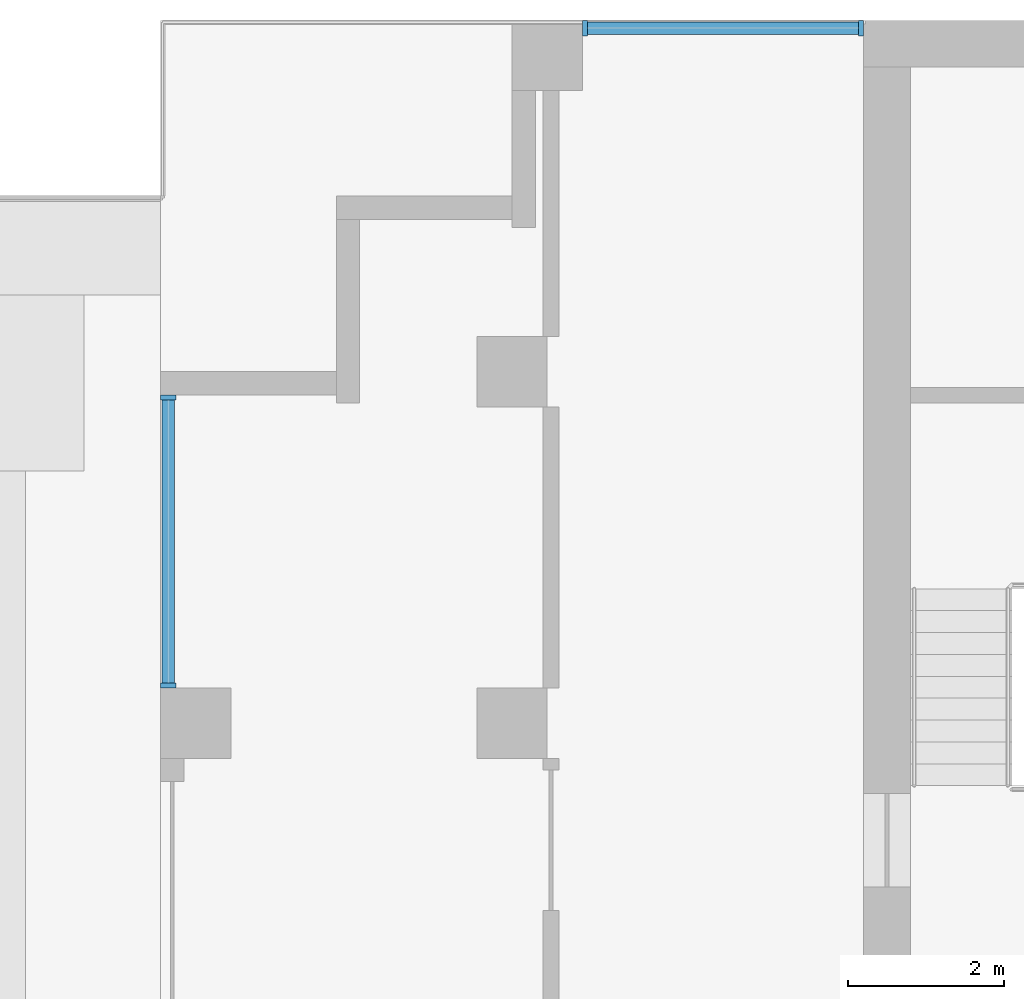
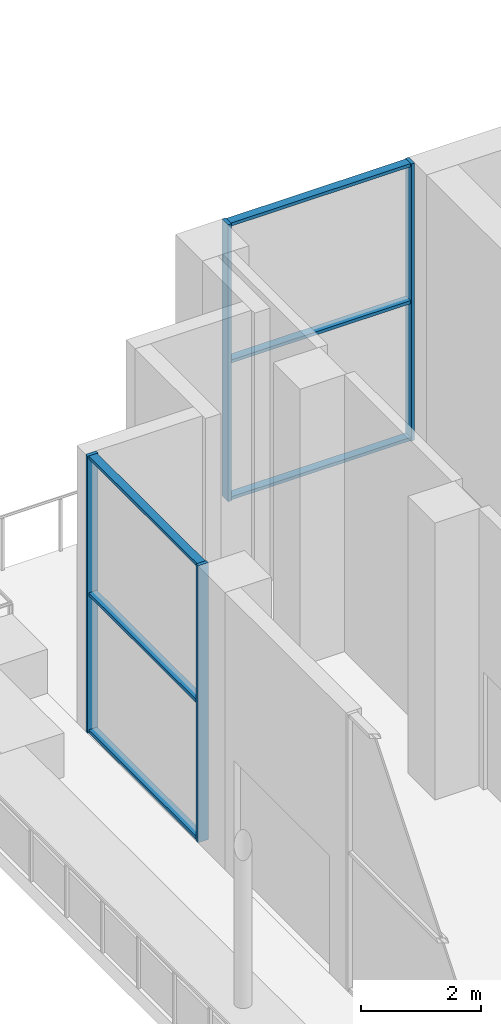
# One storey, part 4 of 13: 10 members, 2 elements without a shape of their own.
"""IFC4 building model written with IfcOpenShell, lengths in metres."""

from ifc_helpers import new_model, si_unit, direction, frame, origin, origin_2d, place, context, subcontext, project, spatial, rectangle, extrude, material, material_profile, profile_set, type_object, element, aggregate, save


model = new_model("IFC4")

# Units and contexts
model_context = context("Model", 3, precision=1e-05, world=origin(), true_north=direction((0.0, 1.0)))
body_context = subcontext(model_context, "Body", "Model", "MODEL_VIEW")
ifc_project = project(units=[si_unit("LENGTHUNIT", "METRE"), si_unit("AREAUNIT", "SQUARE_METRE"), si_unit("VOLUMEUNIT", "CUBIC_METRE"), si_unit("PLANEANGLEUNIT", "RADIAN"), si_unit("MASSUNIT", "GRAM", prefix="KILO")], contexts=[model_context])

# Site, building, storey
site_placement = place(None, origin())
site = spatial("IfcSite", under=ifc_project, at=site_placement, CompositionType="ELEMENT")
building_placement = place(site_placement, origin())
building = spatial("IfcBuilding", under=site, at=building_placement, Name="Orbiselva Terraces", CompositionType="ELEMENT")
storey_placement = place(building_placement, frame((0.0, 0.0, 297.4)))
storey = spatial("IfcBuildingStorey", under=building, at=storey_placement, Name="L74", CompositionType="ELEMENT", Elevation=297.4)

# Curtain wall, members
ifc_material_1 = material(Name="Clear low-e glazing in aluminium frame", Category="aluminium")
curtain_wall_type = type_object("IfcCurtainWallType", Name="ENV-CW-OBS", PredefinedType="NOTDEFINED", material=ifc_material_1)
curtain_wall_1_placement = place(storey_placement, origin())
curtain_wall_1 = element("IfcCurtainWall", 1, at=curtain_wall_1_placement, inside=storey, type_object=curtain_wall_type, Name="Curtain wall L74 NW", PredefinedType="NOTDEFINED")
ifc_material_2 = material(Name="Anodised aluminium", Category="aluminium")
ifc_material_profile_1 = material_profile(ifc_material_2, rectangle(XDim=0.2, YDim=0.065, at=origin_2d()), Name="AL 65x200")
ifc_profile_set_1 = profile_set([ifc_material_profile_1], Name="Anodised aluminium")
member_type_1 = type_object("IfcMemberType", Name="ENV-CW-OBS-MULLION-65x200", PredefinedType="MULLION", material=ifc_profile_set_1)
member_1_placement = place(storey_placement, frame((-13.5325, 22.4, 0.0), z_axis=(0.0, 0.0, 1.0), x_axis=(0.0, -1.0, 0.0)))
member_1 = element("IfcMember", 2, at=member_1_placement, type_object=member_type_1, Name="CW5 mullion 1", PredefinedType="MULLION", context=body_context, shape_type="SweptSolid", body=[
    extrude(rectangle(XDim=0.2, YDim=0.065, at=origin_2d()), origin(), (0.0, 0.0, 1.0), 5.65),
])
member_2_placement = place(storey_placement, frame((-17.0675, 22.4, 0.0), z_axis=(0.0, 0.0, 1.0), x_axis=(0.0, -1.0, 0.0)))
member_2 = element("IfcMember", 3, at=member_2_placement, type_object=member_type_1, Name="CW5 mullion 2", PredefinedType="MULLION", context=body_context, shape_type="SweptSolid", body=[
    extrude(rectangle(XDim=0.2, YDim=0.065, at=origin_2d()), origin(), (0.0, 0.0, 1.0), 5.65),
])

curtain_wall_2_placement = place(storey_placement, origin())
curtain_wall_2 = element("IfcCurtainWall", 4, at=curtain_wall_2_placement, inside=storey, type_object=curtain_wall_type, Name="Curtain wall L74 W", PredefinedType="NOTDEFINED")
member_3_placement = place(storey_placement, frame((-22.4, 17.6675, 0.0), z_axis=(0.0, 0.0, 1.0), x_axis=(1.0, 0.0, 0.0)))
member_3 = element("IfcMember", 5, at=member_3_placement, type_object=member_type_1, Name="CW5 mullion 1", PredefinedType="MULLION", context=body_context, shape_type="SweptSolid", body=[
    extrude(rectangle(XDim=0.2, YDim=0.065, at=origin_2d()), origin(), (0.0, 0.0, 1.0), 5.65),
])
member_4_placement = place(storey_placement, frame((-22.4, 13.9825, 0.0), z_axis=(0.0, 0.0, 1.0), x_axis=(1.0, 0.0, 0.0)))
member_4 = element("IfcMember", 6, at=member_4_placement, type_object=member_type_1, Name="CW5 mullion 2", PredefinedType="MULLION", context=body_context, shape_type="SweptSolid", body=[
    extrude(rectangle(XDim=0.2, YDim=0.065, at=origin_2d()), origin(), (0.0, 0.0, 1.0), 5.65),
])

# Member
ifc_material_profile_2 = material_profile(ifc_material_2, rectangle(XDim=0.16, YDim=0.065, at=origin_2d()), Name="AL 65x160")
ifc_profile_set_2 = profile_set([ifc_material_profile_2], Name="Anodised aluminium")
member_type_2 = type_object("IfcMemberType", Name="ENV-CW-OBS-TRANSOM-65x160", PredefinedType="USERDEFINED", material=ifc_profile_set_2)
member_5_placement = place(storey_placement, frame((-13.565, 22.4, 0.0325), z_axis=(-1.0, 0.0, 0.0), x_axis=(0.0, -1.0, 0.0)))
member_5 = element("IfcMember", 7, at=member_5_placement, type_object=member_type_2, Name="CW5 transom 1.1", ObjectType="TRANSOM", PredefinedType="USERDEFINED", context=body_context, shape_type="SweptSolid", body=[
    extrude(rectangle(XDim=0.16, YDim=0.065, at=origin_2d()), origin(), (0.0, 0.0, 1.0), 3.47),
])

member_6_placement = place(storey_placement, frame((-13.565, 22.4, 2.825), z_axis=(-1.0, 0.0, 0.0), x_axis=(0.0, -1.0, 0.0)))
member_6 = element("IfcMember", 8, at=member_6_placement, type_object=member_type_2, Name="CW5 transom 1.2", ObjectType="TRANSOM", PredefinedType="USERDEFINED", context=body_context, shape_type="SweptSolid", body=[
    extrude(rectangle(XDim=0.16, YDim=0.065, at=origin_2d()), origin(), (0.0, 0.0, 1.0), 3.47),
])

member_7_placement = place(storey_placement, frame((-13.565, 22.4, 5.6175), z_axis=(-1.0, 0.0, 0.0), x_axis=(0.0, -1.0, 0.0)))
member_7 = element("IfcMember", 9, at=member_7_placement, type_object=member_type_2, Name="CW5 transom 1.3", ObjectType="TRANSOM", PredefinedType="USERDEFINED", context=body_context, shape_type="SweptSolid", body=[
    extrude(rectangle(XDim=0.16, YDim=0.065, at=origin_2d()), origin(), (0.0, 0.0, 1.0), 3.47),
])

aggregate(curtain_wall_1, [member_1, member_2, member_5, member_6, member_7])

member_8_placement = place(storey_placement, frame((-22.4, 17.635, 0.0325), z_axis=(0.0, -1.0, 0.0), x_axis=(1.0, 0.0, 0.0)))
member_8 = element("IfcMember", 10, at=member_8_placement, type_object=member_type_2, Name="CW5 transom 1.1", ObjectType="TRANSOM", PredefinedType="USERDEFINED", context=body_context, shape_type="SweptSolid", body=[
    extrude(rectangle(XDim=0.16, YDim=0.065, at=origin_2d()), origin(), (0.0, 0.0, 1.0), 3.62),
])

member_9_placement = place(storey_placement, frame((-22.4, 17.635, 2.825), z_axis=(0.0, -1.0, 0.0), x_axis=(1.0, 0.0, 0.0)))
member_9 = element("IfcMember", 11, at=member_9_placement, type_object=member_type_2, Name="CW5 transom 1.2", ObjectType="TRANSOM", PredefinedType="USERDEFINED", context=body_context, shape_type="SweptSolid", body=[
    extrude(rectangle(XDim=0.16, YDim=0.065, at=origin_2d()), origin(), (0.0, 0.0, 1.0), 3.62),
])

member_10_placement = place(storey_placement, frame((-22.4, 17.635, 5.6175), z_axis=(0.0, -1.0, 0.0), x_axis=(1.0, 0.0, 0.0)))
member_10 = element("IfcMember", 12, at=member_10_placement, type_object=member_type_2, Name="CW5 transom 1.3", ObjectType="TRANSOM", PredefinedType="USERDEFINED", context=body_context, shape_type="SweptSolid", body=[
    extrude(rectangle(XDim=0.16, YDim=0.065, at=origin_2d()), origin(), (0.0, 0.0, 1.0), 3.62),
])

aggregate(curtain_wall_2, [member_3, member_4, member_8, member_9, member_10])

save(model, "model.ifc")
